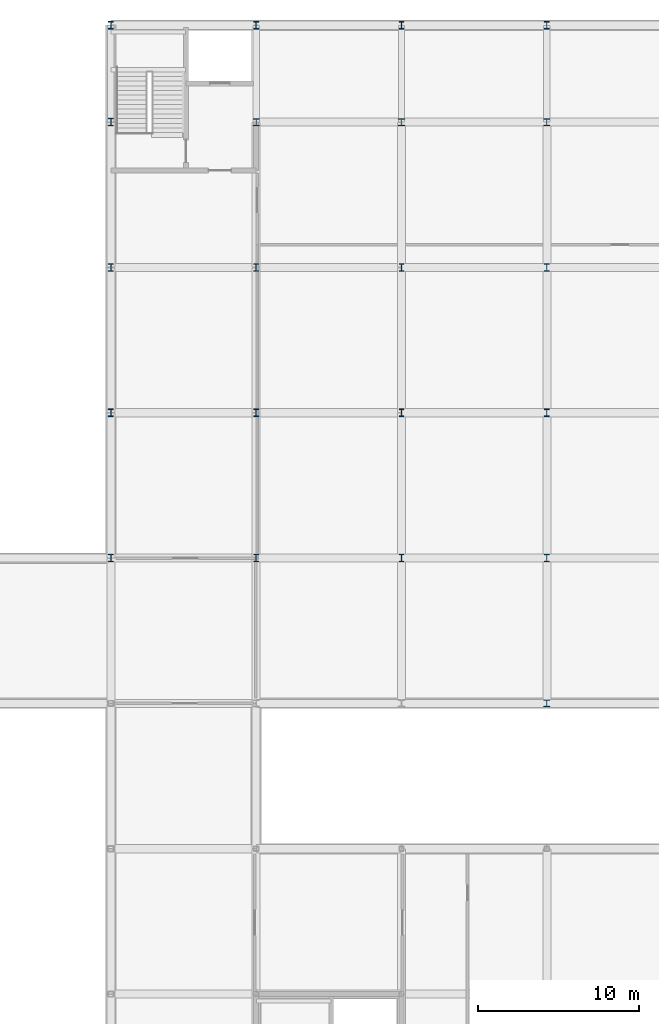
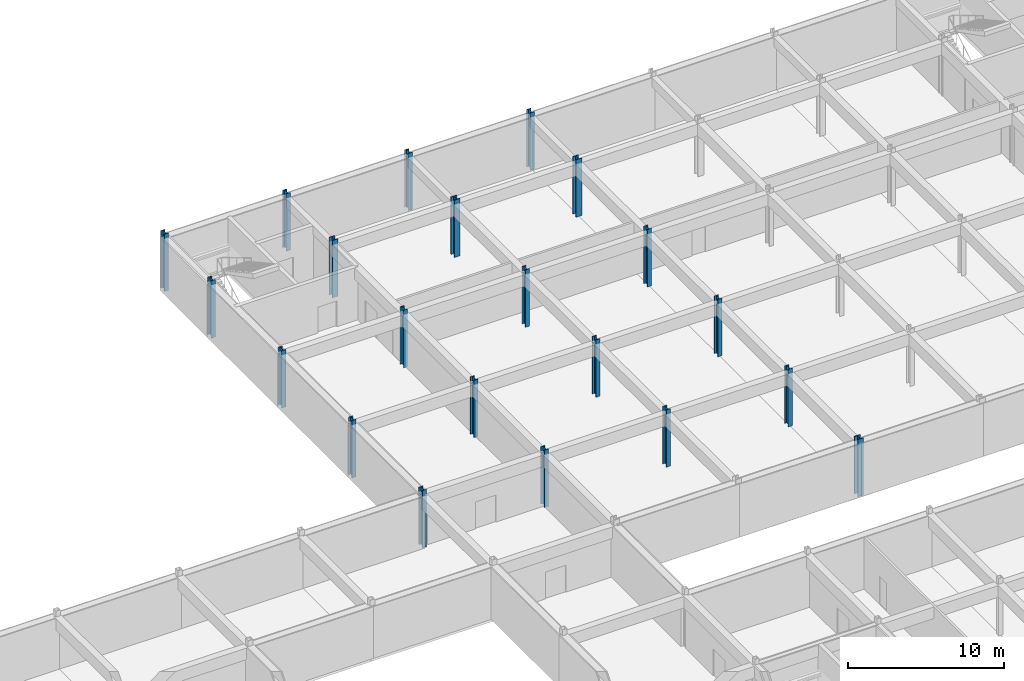
# One storey, part 10 of 35: 21 columns.
"""IFC4 building model written with IfcOpenShell, lengths in metres."""

from ifc_helpers import new_model, si_unit, direction, frame, origin, origin_2d, place, context, subcontext, project, spatial, i_section, extrude, material, material_profile, profile_set, type_object, element, save


model = new_model("IFC4")

# Units and contexts
model_context = context("Model", 3, precision=1e-05, world=origin(), true_north=direction((0.0, 1.0)))
body_context = subcontext(model_context, "Body", "Model", "MODEL_VIEW")
ifc_project = project(units=[si_unit("LENGTHUNIT", "METRE"), si_unit("AREAUNIT", "SQUARE_METRE"), si_unit("VOLUMEUNIT", "CUBIC_METRE"), si_unit("PLANEANGLEUNIT", "RADIAN"), si_unit("MASSUNIT", "GRAM", prefix="KILO")], contexts=[model_context])

# Site, building, storey
site_placement = place(None, origin())
site = spatial("IfcSite", under=ifc_project, at=site_placement, CompositionType="ELEMENT")
building_placement = place(site_placement, origin())
building = spatial("IfcBuilding", under=site, at=building_placement, Name="Palais des Congres Ocreval", CompositionType="ELEMENT")
storey_placement = place(building_placement, frame((0.0, 0.0, -4.47998046875)))
storey = spatial("IfcBuildingStorey", under=building, at=storey_placement, Name="B1", CompositionType="ELEMENT", Elevation=-4.47998046875)

# Columns
ifc_material_1 = material(Name="Steel S460", Category="steel")
ifc_material_profile_1 = material_profile(ifc_material_1, i_section(OverallWidth=0.41796875, OverallDepth=0.455078125, WebThickness=0.031982421875, FlangeThickness=0.055908203125, at=origin_2d()), Name="HD 400x551")
ifc_profile_set_1 = profile_set([ifc_material_profile_1], Name="Steel S460")
column_type_1 = type_object("IfcColumnType", Name="Column HD 400x551 Steel S460", PredefinedType="COLUMN", material=ifc_profile_set_1)
for number, where, z_axis, x_axis, name in (
    (1, (108.0, 108.0, 0.0), (0.0, 0.0, 1.0), (1.0, 0.0, 0.0), "Column C01 B1"),
    (2, (117.0, 108.0, 0.0), (0.0, 0.0, 1.0), (1.0, 0.0, 0.0), "Column C01 B1"),
    (3, (126.0, 72.0, 0.0), (0.0, 0.0, 1.0), (1.0, 0.0, 0.0), "Column C01 B1"),
    (4, (126.0, 108.0, 0.0), (0.0, 0.0, 1.0), (1.0, 0.0, 0.0), "Column C01 B1"),
):
    element("IfcColumn", number, at=place(storey_placement, frame(where, z_axis=z_axis, x_axis=x_axis)), inside=storey, type_object=column_type_1, Name=name, PredefinedType="COLUMN", context=body_context, shape_type="SweptSolid", body=[
        extrude(i_section(OverallWidth=0.41796875, OverallDepth=0.455078125, WebThickness=0.031982421875, FlangeThickness=0.055908203125, at=origin_2d()), origin(), (0.0, 0.0, 1.0), 4.47998046875),
    ])
ifc_material_2 = material(Name="Steel S355", Category="steel")
ifc_material_profile_2 = material_profile(ifc_material_2, i_section(OverallWidth=0.306884765625, OverallDepth=0.47802734375, WebThickness=0.02099609375, FlangeThickness=0.0400390625, at=origin_2d()), Name="HEM 450")
ifc_profile_set_2 = profile_set([ifc_material_profile_2], Name="Steel S355")
column_type_2 = type_object("IfcColumnType", Name="Column HEM 450 Steel S355", PredefinedType="COLUMN", material=ifc_profile_set_2)
for number, where, z_axis, x_axis, name in (
    (5, (99.0, 81.0, 0.0), (0.0, 0.0, 1.0), (1.0, 0.0, 0.0), "Column C06 B1"),
    (6, (99.0, 90.0, 0.0), (0.0, 0.0, 1.0), (1.0, 0.0, 0.0), "Column C06 B1"),
    (7, (99.0, 99.0, 0.0), (0.0, 0.0, 1.0), (1.0, 0.0, 0.0), "Column C06 B1"),
    (8, (99.0, 108.0, 0.0), (0.0, 0.0, 1.0), (1.0, 0.0, 0.0), "Column C06 B1"),
    (9, (99.0, 114.0, 0.0), (0.0, 0.0, 1.0), (1.0, 0.0, 0.0), "Column C06 B1"),
    (10, (108.0, 81.0, 0.0), (0.0, 0.0, 1.0), (1.0, 0.0, 0.0), "Column C06 B1"),
    (11, (108.0, 90.0, 0.0), (0.0, 0.0, 1.0), (1.0, 0.0, 0.0), "Column C06 B1"),
    (12, (108.0, 99.0, 0.0), (0.0, 0.0, 1.0), (1.0, 0.0, 0.0), "Column C06 B1"),
    (13, (108.0, 114.0, 0.0), (0.0, 0.0, 1.0), (1.0, 0.0, 0.0), "Column C06 B1"),
    (14, (117.0, 81.0, 0.0), (0.0, 0.0, 1.0), (1.0, 0.0, 0.0), "Column C06 B1"),
    (15, (117.0, 90.0, 0.0), (0.0, 0.0, 1.0), (1.0, 0.0, 0.0), "Column C06 B1"),
    (16, (117.0, 99.0, 0.0), (0.0, 0.0, 1.0), (1.0, 0.0, 0.0), "Column C06 B1"),
    (17, (117.0, 114.0, 0.0), (0.0, 0.0, 1.0), (1.0, 0.0, 0.0), "Column C06 B1"),
    (18, (126.0, 81.0, 0.0), (0.0, 0.0, 1.0), (1.0, 0.0, 0.0), "Column C06 B1"),
    (19, (126.0, 90.0, 0.0), (0.0, 0.0, 1.0), (1.0, 0.0, 0.0), "Column C06 B1"),
    (20, (126.0, 99.0, 0.0), (0.0, 0.0, 1.0), (1.0, 0.0, 0.0), "Column C06 B1"),
    (21, (126.0, 114.0, 0.0), (0.0, 0.0, 1.0), (1.0, 0.0, 0.0), "Column C06 B1"),
):
    element("IfcColumn", number, at=place(storey_placement, frame(where, z_axis=z_axis, x_axis=x_axis)), inside=storey, type_object=column_type_2, Name=name, PredefinedType="COLUMN", context=body_context, shape_type="SweptSolid", body=[
        extrude(i_section(OverallWidth=0.306884765625, OverallDepth=0.47802734375, WebThickness=0.02099609375, FlangeThickness=0.0400390625, at=origin_2d()), origin(), (0.0, 0.0, 1.0), 4.47998046875),
    ])

save(model, "model.ifc")
